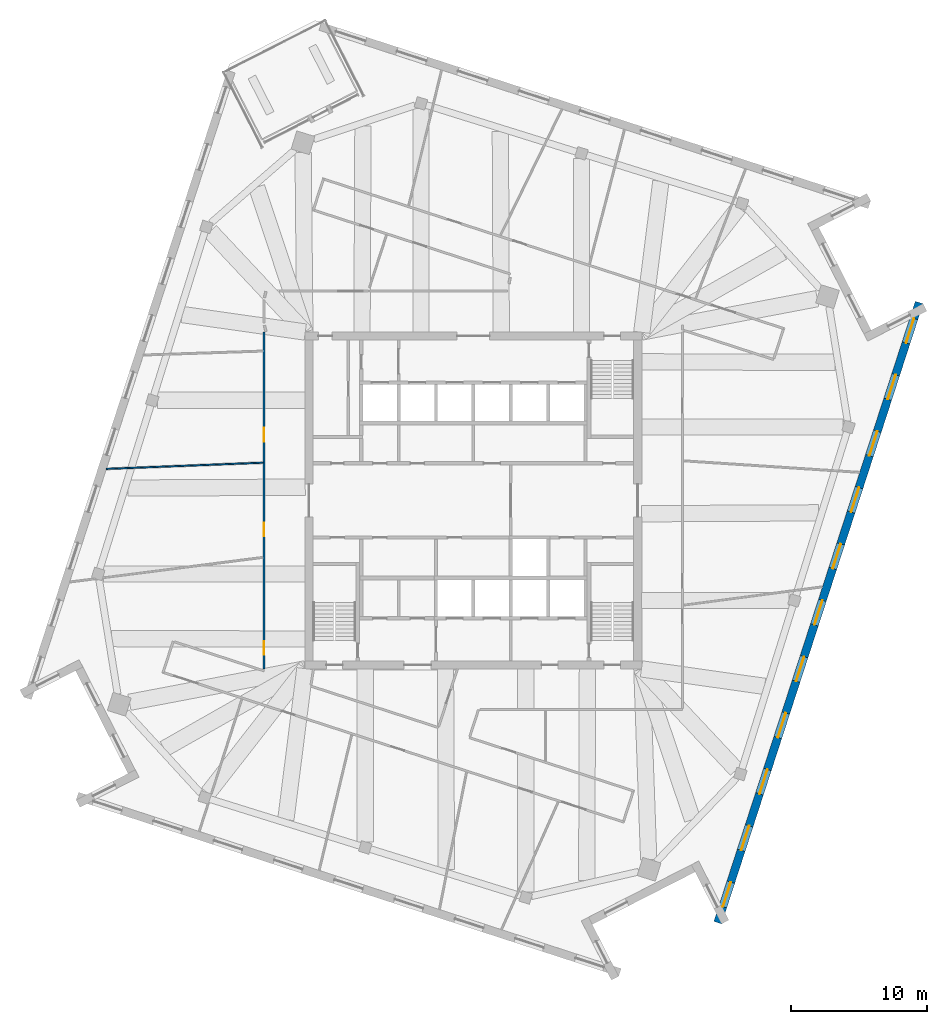
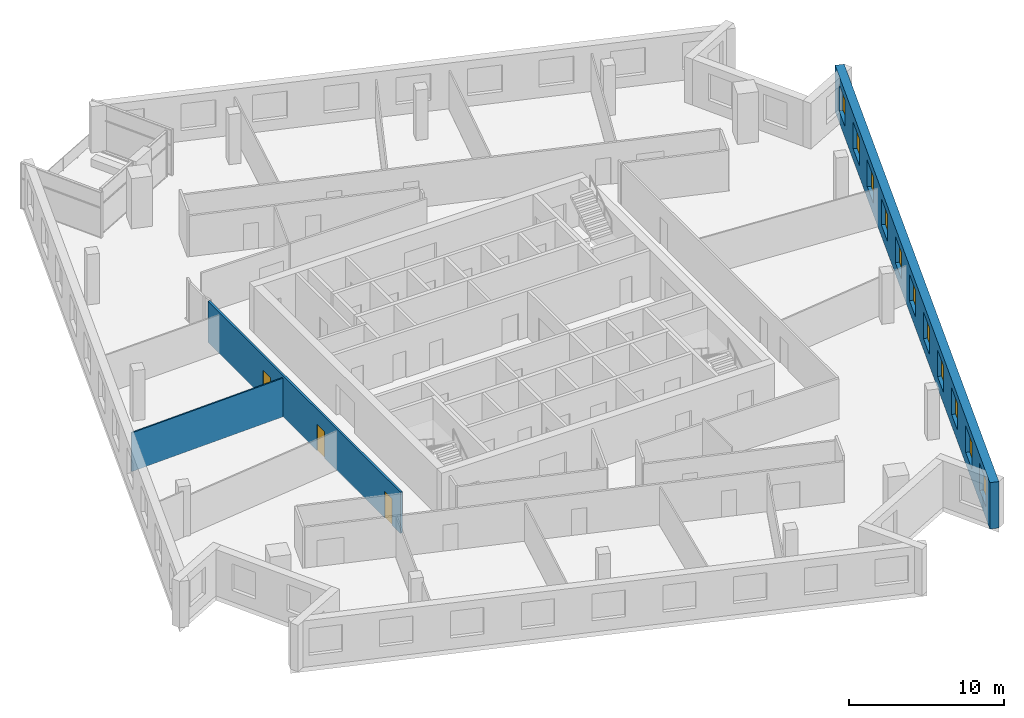
# One storey, part 8 of 13: 11 windows, 3 doors, 3 walls, 14 openings.
"""IFC4 building model written with IfcOpenShell, lengths in metres."""

from ifc_helpers import new_model, si_unit, direction, frame, frame_2d, origin, place, context, subcontext, project, spatial, rectangle, extrude, material, layer, layer_set, type_object, element, fill, save


model = new_model("IFC4")

# Units and contexts
model_context = context("Model", 3, precision=1e-05, world=origin(), true_north=direction((0.0, 1.0)))
body_context = subcontext(model_context, "Body", "Model", "MODEL_VIEW")
ifc_project = project(units=[si_unit("LENGTHUNIT", "METRE"), si_unit("AREAUNIT", "SQUARE_METRE"), si_unit("VOLUMEUNIT", "CUBIC_METRE"), si_unit("PLANEANGLEUNIT", "RADIAN"), si_unit("MASSUNIT", "GRAM", prefix="KILO")], contexts=[model_context])

# Site, building, storey
site_placement = place(None, origin())
site = spatial("IfcSite", under=ifc_project, at=site_placement, CompositionType="ELEMENT")
building_placement = place(site_placement, origin())
building = spatial("IfcBuilding", under=site, at=building_placement, Name="Dilmun Exchange Tower", CompositionType="ELEMENT")
storey_placement = place(building_placement, frame((0.0, 0.0, 316.5)))
storey = spatial("IfcBuildingStorey", under=building, at=storey_placement, Name="L75", CompositionType="ELEMENT", Elevation=316.5)

# Wall, openings, doors
ifc_material_1 = material(Name="Corridor wall 150")
ifc_layer_1 = layer(ifc_material_1, 0.14990234375)
ifc_layer_set_1 = layer_set([ifc_layer_1], Name="Corridor wall 150")
wall_type_1 = type_object("IfcWallType", Name="Corridor wall 150", PredefinedType="PARTITIONING", material=ifc_layer_set_1)
wall_1_placement = place(storey_placement, frame((-15.39990234375, -12.39990234375, 0.0), z_axis=(0.0, 0.0, 1.0), x_axis=(0.0, 1.0, 0.0)))
wall_1 = element("IfcWall", 1, at=wall_1_placement, inside=storey, type_object=wall_type_1, Name="Corridor wall", PredefinedType="PARTITIONING", context=body_context, shape_type="SweptSolid", body=[
    extrude(rectangle(XDim=24.7998046875, YDim=0.14990234375, at=frame_2d((12.39990234375, 0.0))), origin(), (0.0, 0.0, 1.0), 3.25),
])
opening_1_placement = place(wall_1_placement, frame((1.050048828125, 0.0, 0.0)))
opening_1 = element("IfcOpeningElement", 2, at=opening_1_placement, cuts=wall_1, Name="Opening TF75-D02", PredefinedType="OPENING", context=body_context, shape_type="SweptSolid", body=[
    extrude(rectangle(XDim=1.0, YDim=2.10009765625, at=frame_2d((0.5, 1.050048828125))), frame((0.0, 0.0849609375, 0.0), z_axis=(0.0, -1.0, 0.0), x_axis=(1.0, 0.0, 0.0)), (0.0, 0.0, 1.0), 0.169921875),
])
opening_2_placement = place(wall_1_placement, frame((9.766845703125, 0.0, 0.0)))
opening_2 = element("IfcOpeningElement", 3, at=opening_2_placement, cuts=wall_1, Name="Opening TF75-D03", PredefinedType="OPENING", context=body_context, shape_type="SweptSolid", body=[
    extrude(rectangle(XDim=1.0, YDim=2.10009765625, at=frame_2d((0.5, 1.050048828125))), frame((0.0, 0.0849609375, 0.0), z_axis=(0.0, -1.0, 0.0), x_axis=(1.0, 0.0, 0.0)), (0.0, 0.0, 1.0), 0.169921875),
])
opening_3_placement = place(wall_1_placement, frame((16.732666015625, 0.0, 0.0)))
opening_3 = element("IfcOpeningElement", 4, at=opening_3_placement, cuts=wall_1, Name="Opening TF75-D04", PredefinedType="OPENING", context=body_context, shape_type="SweptSolid", body=[
    extrude(rectangle(XDim=1.0, YDim=2.10009765625, at=frame_2d((0.5, 1.050048828125))), frame((0.0, 0.0849609375, 0.0), z_axis=(0.0, -1.0, 0.0), x_axis=(1.0, 0.0, 0.0)), (0.0, 0.0, 1.0), 0.169921875),
])
ifc_material_2 = material(Name="Fire door 1000 x 2100")
door_type = type_object("IfcDoorType", Name="Fire door 1000 x 2100", OperationType="NOTDEFINED", PredefinedType="DOOR", material=ifc_material_2)
door_1_placement = place(opening_1_placement, origin())
door_1 = element("IfcDoor", 5, at=door_1_placement, inside=storey, type_object=door_type, Name="Door TF75-D02", OperationType="SINGLE_SWING_LEFT", OverallHeight=2.10009765625, OverallWidth=1.0, PredefinedType="DOOR", context=body_context, shape_type="SweptSolid", body=[
    extrude(rectangle(XDim=1.0, YDim=2.10009765625, at=frame_2d((0.5, 1.050048828125))), frame((0.0, 0.02490234375, 0.0), z_axis=(0.0, -1.0, 0.0), x_axis=(1.0, 0.0, 0.0)), (0.0, 0.0, 1.0), 0.050048828125),
])
fill(opening_1, door_1)
door_2_placement = place(opening_2_placement, origin())
door_2 = element("IfcDoor", 6, at=door_2_placement, inside=storey, type_object=door_type, Name="Door TF75-D03", OperationType="SINGLE_SWING_LEFT", OverallHeight=2.10009765625, OverallWidth=1.0, PredefinedType="DOOR", context=body_context, shape_type="SweptSolid", body=[
    extrude(rectangle(XDim=1.0, YDim=2.10009765625, at=frame_2d((0.5, 1.050048828125))), frame((0.0, 0.02490234375, 0.0), z_axis=(0.0, -1.0, 0.0), x_axis=(1.0, 0.0, 0.0)), (0.0, 0.0, 1.0), 0.050048828125),
])
fill(opening_2, door_2)
door_3_placement = place(opening_3_placement, origin())
door_3 = element("IfcDoor", 7, at=door_3_placement, inside=storey, type_object=door_type, Name="Door TF75-D04", OperationType="SINGLE_SWING_LEFT", OverallHeight=2.10009765625, OverallWidth=1.0, PredefinedType="DOOR", context=body_context, shape_type="SweptSolid", body=[
    extrude(rectangle(XDim=1.0, YDim=2.10009765625, at=frame_2d((0.5, 1.050048828125))), frame((0.0, 0.02490234375, 0.0), z_axis=(0.0, -1.0, 0.0), x_axis=(1.0, 0.0, 0.0)), (0.0, 0.0, 1.0), 0.050048828125),
])
fill(opening_3, door_3)

# Wall
ifc_material_3 = material(Name="Partition 100")
ifc_layer_2 = layer(ifc_material_3, 0.10009765625)
ifc_layer_set_2 = layer_set([ifc_layer_2], Name="Partition 100")
wall_type_2 = type_object("IfcWallType", Name="Partition 100", PredefinedType="PARTITIONING", material=ifc_layer_set_2)
wall_2_placement = place(storey_placement, frame((-27.001953125, 2.322509765625, 0.0), z_axis=(0.0, 0.0, 1.0), x_axis=(0.999209591443, 0.039751633537, 0.0)))
element("IfcWall", 8, at=wall_2_placement, inside=storey, type_object=wall_type_2, Name="Partition", PredefinedType="PARTITIONING", context=body_context, shape_type="SweptSolid", body=[
    extrude(rectangle(XDim=11.533935546875, YDim=0.10009765625, at=frame_2d((5.76708984375, 0.0))), origin(), (0.0, 0.0, 1.0), 3.050048828125),
])

# Wall, openings, windows
ifc_material_4 = material(Name="Precast concrete C50/60", Category="concrete")
ifc_layer_3 = layer(ifc_material_4, 0.60009765625)
ifc_layer_set_3 = layer_set([ifc_layer_3], Name="Precast concrete C50/60")
wall_type_3 = type_object("IfcWallType", Name="Precast stone-clad wall 600", PredefinedType="STANDARD", material=ifc_layer_set_3)
wall_3_placement = place(storey_placement, frame((17.97998046875, -31.066162109375, 0.0), z_axis=(0.0, 0.0, 1.0), x_axis=(0.30901795675, 0.9510562036, 0.0)))
wall_3 = element("IfcWall", 9, at=wall_3_placement, inside=storey, type_object=wall_type_3, Name="Facade wall L75-11", PredefinedType="STANDARD", context=body_context, shape_type="SweptSolid", body=[
    extrude(rectangle(XDim=47.979248046875, YDim=0.60009765625, at=frame_2d((23.98974609375, 0.0))), origin(), (0.0, 0.0, 1.0), 3.64990234375),
])
opening_4_placement = place(wall_3_placement, frame((1.23095703125, 0.0, 0.89990234375)))
opening_4 = element("IfcOpeningElement", 10, at=opening_4_placement, cuts=wall_3, Name="Opening W190-210", PredefinedType="OPENING", context=body_context, shape_type="SweptSolid", body=[
    extrude(rectangle(XDim=1.89990234375, YDim=2.10009765625, at=frame_2d((0.949951171875, 1.050048828125))), frame((0.0, 0.31005859375, 0.0), z_axis=(0.0, -1.0, 0.0), x_axis=(1.0, 0.0, 0.0)), (0.0, 0.0, 1.0), 0.6201171875),
])
opening_5_placement = place(wall_3_placement, frame((5.592529296875, 0.0, 0.89990234375)))
opening_5 = element("IfcOpeningElement", 11, at=opening_5_placement, cuts=wall_3, Name="Opening W190-210", PredefinedType="OPENING", context=body_context, shape_type="SweptSolid", body=[
    extrude(rectangle(XDim=1.89990234375, YDim=2.10009765625, at=frame_2d((0.949951171875, 1.050048828125))), frame((0.0, 0.31005859375, 0.0), z_axis=(0.0, -1.0, 0.0), x_axis=(1.0, 0.0, 0.0)), (0.0, 0.0, 1.0), 0.6201171875),
])
opening_6_placement = place(wall_3_placement, frame((9.954345703125, 0.0, 0.89990234375)))
opening_6 = element("IfcOpeningElement", 12, at=opening_6_placement, cuts=wall_3, Name="Opening W190-210", PredefinedType="OPENING", context=body_context, shape_type="SweptSolid", body=[
    extrude(rectangle(XDim=1.89990234375, YDim=2.10009765625, at=frame_2d((0.949951171875, 1.050048828125))), frame((0.0, 0.31005859375, 0.0), z_axis=(0.0, -1.0, 0.0), x_axis=(1.0, 0.0, 0.0)), (0.0, 0.0, 1.0), 0.6201171875),
])
opening_7_placement = place(wall_3_placement, frame((14.316162109375, 0.0, 0.89990234375)))
opening_7 = element("IfcOpeningElement", 13, at=opening_7_placement, cuts=wall_3, Name="Opening W190-210", PredefinedType="OPENING", context=body_context, shape_type="SweptSolid", body=[
    extrude(rectangle(XDim=1.89990234375, YDim=2.10009765625, at=frame_2d((0.949951171875, 1.050048828125))), frame((0.0, 0.31005859375, 0.0), z_axis=(0.0, -1.0, 0.0), x_axis=(1.0, 0.0, 0.0)), (0.0, 0.0, 1.0), 0.6201171875),
])
opening_8_placement = place(wall_3_placement, frame((18.677734375, 0.0, 0.89990234375)))
opening_8 = element("IfcOpeningElement", 14, at=opening_8_placement, cuts=wall_3, Name="Opening W190-210", PredefinedType="OPENING", context=body_context, shape_type="SweptSolid", body=[
    extrude(rectangle(XDim=1.89990234375, YDim=2.10009765625, at=frame_2d((0.949951171875, 1.050048828125))), frame((0.0, 0.31005859375, 0.0), z_axis=(0.0, -1.0, 0.0), x_axis=(1.0, 0.0, 0.0)), (0.0, 0.0, 1.0), 0.6201171875),
])
opening_9_placement = place(wall_3_placement, frame((23.03955078125, 0.0, 0.89990234375)))
opening_9 = element("IfcOpeningElement", 15, at=opening_9_placement, cuts=wall_3, Name="Opening W190-210", PredefinedType="OPENING", context=body_context, shape_type="SweptSolid", body=[
    extrude(rectangle(XDim=1.89990234375, YDim=2.10009765625, at=frame_2d((0.949951171875, 1.050048828125))), frame((0.0, 0.31005859375, 0.0), z_axis=(0.0, -1.0, 0.0), x_axis=(1.0, 0.0, 0.0)), (0.0, 0.0, 1.0), 0.6201171875),
])
opening_10_placement = place(wall_3_placement, frame((27.4013671875, 0.0, 0.89990234375)))
opening_10 = element("IfcOpeningElement", 16, at=opening_10_placement, cuts=wall_3, Name="Opening W190-210", PredefinedType="OPENING", context=body_context, shape_type="SweptSolid", body=[
    extrude(rectangle(XDim=1.89990234375, YDim=2.10009765625, at=frame_2d((0.949951171875, 1.050048828125))), frame((0.0, 0.31005859375, 0.0), z_axis=(0.0, -1.0, 0.0), x_axis=(1.0, 0.0, 0.0)), (0.0, 0.0, 1.0), 0.6201171875),
])
opening_11_placement = place(wall_3_placement, frame((31.76318359375, 0.0, 0.89990234375)))
opening_11 = element("IfcOpeningElement", 17, at=opening_11_placement, cuts=wall_3, Name="Opening W190-210", PredefinedType="OPENING", context=body_context, shape_type="SweptSolid", body=[
    extrude(rectangle(XDim=1.89990234375, YDim=2.10009765625, at=frame_2d((0.949951171875, 1.050048828125))), frame((0.0, 0.31005859375, 0.0), z_axis=(0.0, -1.0, 0.0), x_axis=(1.0, 0.0, 0.0)), (0.0, 0.0, 1.0), 0.6201171875),
])
opening_12_placement = place(wall_3_placement, frame((36.124755859375, 0.0, 0.89990234375)))
opening_12 = element("IfcOpeningElement", 18, at=opening_12_placement, cuts=wall_3, Name="Opening W190-210", PredefinedType="OPENING", context=body_context, shape_type="SweptSolid", body=[
    extrude(rectangle(XDim=1.89990234375, YDim=2.10009765625, at=frame_2d((0.949951171875, 1.050048828125))), frame((0.0, 0.31005859375, 0.0), z_axis=(0.0, -1.0, 0.0), x_axis=(1.0, 0.0, 0.0)), (0.0, 0.0, 1.0), 0.6201171875),
])
opening_13_placement = place(wall_3_placement, frame((40.486572265625, 0.0, 0.89990234375)))
opening_13 = element("IfcOpeningElement", 19, at=opening_13_placement, cuts=wall_3, Name="Opening W190-210", PredefinedType="OPENING", context=body_context, shape_type="SweptSolid", body=[
    extrude(rectangle(XDim=1.89990234375, YDim=2.10009765625, at=frame_2d((0.949951171875, 1.050048828125))), frame((0.0, 0.31005859375, 0.0), z_axis=(0.0, -1.0, 0.0), x_axis=(1.0, 0.0, 0.0)), (0.0, 0.0, 1.0), 0.6201171875),
])
opening_14_placement = place(wall_3_placement, frame((44.848388671875, 0.0, 0.89990234375)))
opening_14 = element("IfcOpeningElement", 20, at=opening_14_placement, cuts=wall_3, Name="Opening W190-210", PredefinedType="OPENING", context=body_context, shape_type="SweptSolid", body=[
    extrude(rectangle(XDim=1.89990234375, YDim=2.10009765625, at=frame_2d((0.949951171875, 1.050048828125))), frame((0.0, 0.31005859375, 0.0), z_axis=(0.0, -1.0, 0.0), x_axis=(1.0, 0.0, 0.0)), (0.0, 0.0, 1.0), 0.6201171875),
])
ifc_material_5 = material(Name="Clear low-emissivity glass in aluminium frame", Category="aluminium")
window_type = type_object("IfcWindowType", Name="Punched window 1900 x 2100", PartitioningType="DOUBLE_PANEL_VERTICAL", PredefinedType="WINDOW", material=ifc_material_5)
window_1_placement = place(opening_4_placement, origin())
window_1 = element("IfcWindow", 21, at=window_1_placement, inside=storey, type_object=window_type, Name="Window 12.1", OverallHeight=2.10009765625, OverallWidth=1.89990234375, PartitioningType="SINGLE_PANEL", PredefinedType="WINDOW", context=body_context, shape_type="SweptSolid", body=[
    extrude(rectangle(XDim=1.89990234375, YDim=2.10009765625, at=frame_2d((0.949951171875, 1.050048828125))), frame((0.0, 0.030029296875, 0.0), z_axis=(0.0, -1.0, 0.0), x_axis=(1.0, 0.0, 0.0)), (0.0, 0.0, 1.0), 0.06005859375),
])
fill(opening_4, window_1)
window_2_placement = place(opening_5_placement, origin())
window_2 = element("IfcWindow", 22, at=window_2_placement, inside=storey, type_object=window_type, Name="Window 12.2", OverallHeight=2.10009765625, OverallWidth=1.89990234375, PartitioningType="SINGLE_PANEL", PredefinedType="WINDOW", context=body_context, shape_type="SweptSolid", body=[
    extrude(rectangle(XDim=1.89990234375, YDim=2.10009765625, at=frame_2d((0.949951171875, 1.050048828125))), frame((0.0, 0.030029296875, 0.0), z_axis=(0.0, -1.0, 0.0), x_axis=(1.0, 0.0, 0.0)), (0.0, 0.0, 1.0), 0.06005859375),
])
fill(opening_5, window_2)
window_3_placement = place(opening_6_placement, origin())
window_3 = element("IfcWindow", 23, at=window_3_placement, inside=storey, type_object=window_type, Name="Window 12.3", OverallHeight=2.10009765625, OverallWidth=1.89990234375, PartitioningType="SINGLE_PANEL", PredefinedType="WINDOW", context=body_context, shape_type="SweptSolid", body=[
    extrude(rectangle(XDim=1.89990234375, YDim=2.10009765625, at=frame_2d((0.949951171875, 1.050048828125))), frame((0.0, 0.030029296875, 0.0), z_axis=(0.0, -1.0, 0.0), x_axis=(1.0, 0.0, 0.0)), (0.0, 0.0, 1.0), 0.06005859375),
])
fill(opening_6, window_3)
window_4_placement = place(opening_7_placement, origin())
window_4 = element("IfcWindow", 24, at=window_4_placement, inside=storey, type_object=window_type, Name="Window 12.4", OverallHeight=2.10009765625, OverallWidth=1.89990234375, PartitioningType="SINGLE_PANEL", PredefinedType="WINDOW", context=body_context, shape_type="SweptSolid", body=[
    extrude(rectangle(XDim=1.89990234375, YDim=2.10009765625, at=frame_2d((0.949951171875, 1.050048828125))), frame((0.0, 0.030029296875, 0.0), z_axis=(0.0, -1.0, 0.0), x_axis=(1.0, 0.0, 0.0)), (0.0, 0.0, 1.0), 0.06005859375),
])
fill(opening_7, window_4)
window_5_placement = place(opening_8_placement, origin())
window_5 = element("IfcWindow", 25, at=window_5_placement, inside=storey, type_object=window_type, Name="Window 12.5", OverallHeight=2.10009765625, OverallWidth=1.89990234375, PartitioningType="SINGLE_PANEL", PredefinedType="WINDOW", context=body_context, shape_type="SweptSolid", body=[
    extrude(rectangle(XDim=1.89990234375, YDim=2.10009765625, at=frame_2d((0.949951171875, 1.050048828125))), frame((0.0, 0.030029296875, 0.0), z_axis=(0.0, -1.0, 0.0), x_axis=(1.0, 0.0, 0.0)), (0.0, 0.0, 1.0), 0.06005859375),
])
fill(opening_8, window_5)
window_6_placement = place(opening_9_placement, origin())
window_6 = element("IfcWindow", 26, at=window_6_placement, inside=storey, type_object=window_type, Name="Window 12.6", OverallHeight=2.10009765625, OverallWidth=1.89990234375, PartitioningType="SINGLE_PANEL", PredefinedType="WINDOW", context=body_context, shape_type="SweptSolid", body=[
    extrude(rectangle(XDim=1.89990234375, YDim=2.10009765625, at=frame_2d((0.949951171875, 1.050048828125))), frame((0.0, 0.030029296875, 0.0), z_axis=(0.0, -1.0, 0.0), x_axis=(1.0, 0.0, 0.0)), (0.0, 0.0, 1.0), 0.06005859375),
])
fill(opening_9, window_6)
window_7_placement = place(opening_10_placement, origin())
window_7 = element("IfcWindow", 27, at=window_7_placement, inside=storey, type_object=window_type, Name="Window 12.7", OverallHeight=2.10009765625, OverallWidth=1.89990234375, PartitioningType="SINGLE_PANEL", PredefinedType="WINDOW", context=body_context, shape_type="SweptSolid", body=[
    extrude(rectangle(XDim=1.89990234375, YDim=2.10009765625, at=frame_2d((0.949951171875, 1.050048828125))), frame((0.0, 0.030029296875, 0.0), z_axis=(0.0, -1.0, 0.0), x_axis=(1.0, 0.0, 0.0)), (0.0, 0.0, 1.0), 0.06005859375),
])
fill(opening_10, window_7)
window_8_placement = place(opening_11_placement, origin())
window_8 = element("IfcWindow", 28, at=window_8_placement, inside=storey, type_object=window_type, Name="Window 12.8", OverallHeight=2.10009765625, OverallWidth=1.89990234375, PartitioningType="SINGLE_PANEL", PredefinedType="WINDOW", context=body_context, shape_type="SweptSolid", body=[
    extrude(rectangle(XDim=1.89990234375, YDim=2.10009765625, at=frame_2d((0.949951171875, 1.050048828125))), frame((0.0, 0.030029296875, 0.0), z_axis=(0.0, -1.0, 0.0), x_axis=(1.0, 0.0, 0.0)), (0.0, 0.0, 1.0), 0.06005859375),
])
fill(opening_11, window_8)
window_9_placement = place(opening_12_placement, origin())
window_9 = element("IfcWindow", 29, at=window_9_placement, inside=storey, type_object=window_type, Name="Window 12.9", OverallHeight=2.10009765625, OverallWidth=1.89990234375, PartitioningType="SINGLE_PANEL", PredefinedType="WINDOW", context=body_context, shape_type="SweptSolid", body=[
    extrude(rectangle(XDim=1.89990234375, YDim=2.10009765625, at=frame_2d((0.949951171875, 1.050048828125))), frame((0.0, 0.030029296875, 0.0), z_axis=(0.0, -1.0, 0.0), x_axis=(1.0, 0.0, 0.0)), (0.0, 0.0, 1.0), 0.06005859375),
])
fill(opening_12, window_9)
window_10_placement = place(opening_13_placement, origin())
window_10 = element("IfcWindow", 30, at=window_10_placement, inside=storey, type_object=window_type, Name="Window 12.10", OverallHeight=2.10009765625, OverallWidth=1.89990234375, PartitioningType="SINGLE_PANEL", PredefinedType="WINDOW", context=body_context, shape_type="SweptSolid", body=[
    extrude(rectangle(XDim=1.89990234375, YDim=2.10009765625, at=frame_2d((0.949951171875, 1.050048828125))), frame((0.0, 0.030029296875, 0.0), z_axis=(0.0, -1.0, 0.0), x_axis=(1.0, 0.0, 0.0)), (0.0, 0.0, 1.0), 0.06005859375),
])
fill(opening_13, window_10)
window_11_placement = place(opening_14_placement, origin())
window_11 = element("IfcWindow", 31, at=window_11_placement, inside=storey, type_object=window_type, Name="Window 12.11", OverallHeight=2.10009765625, OverallWidth=1.89990234375, PartitioningType="SINGLE_PANEL", PredefinedType="WINDOW", context=body_context, shape_type="SweptSolid", body=[
    extrude(rectangle(XDim=1.89990234375, YDim=2.10009765625, at=frame_2d((0.949951171875, 1.050048828125))), frame((0.0, 0.030029296875, 0.0), z_axis=(0.0, -1.0, 0.0), x_axis=(1.0, 0.0, 0.0)), (0.0, 0.0, 1.0), 0.06005859375),
])
fill(opening_14, window_11)

save(model, "model.ifc")
